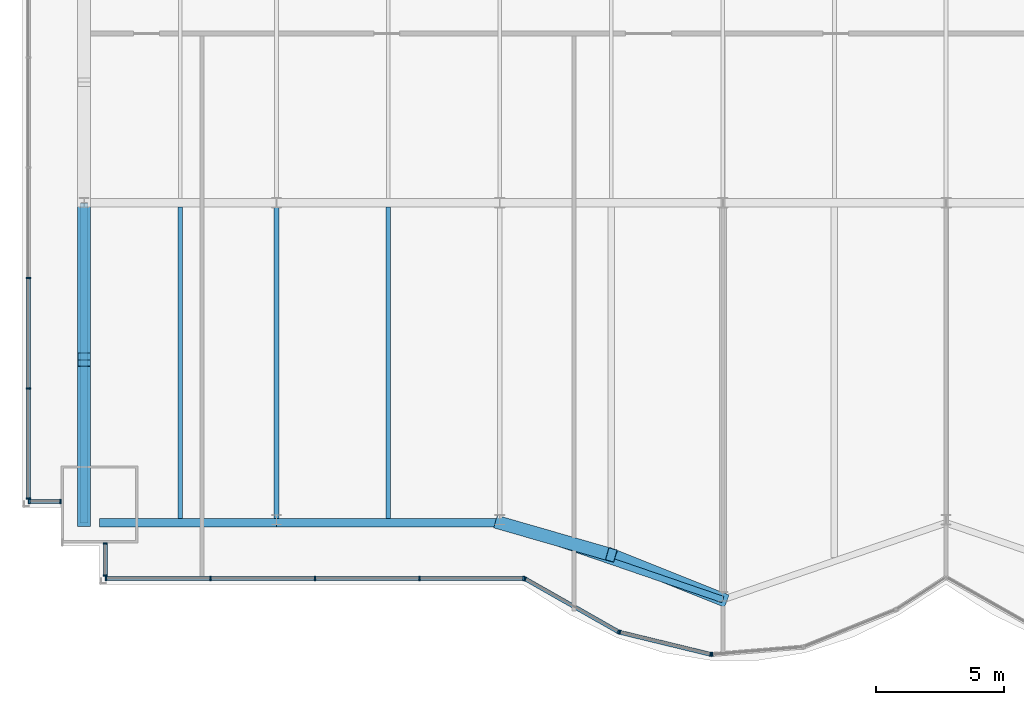
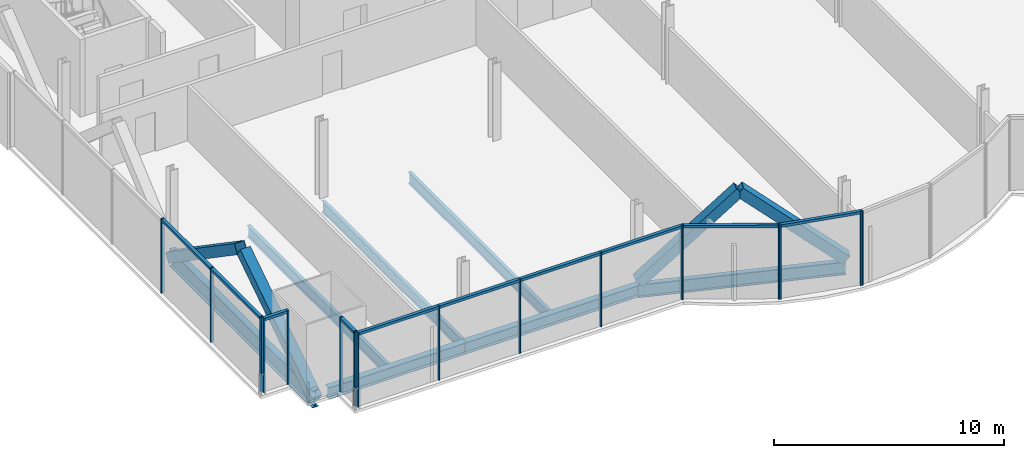
# One storey, part 4 of 21: 31 members, 7 beams, 5 elements without a shape of their own.
"""IFC4 building model written with IfcOpenShell, lengths in metres."""

from ifc_helpers import new_model, si_unit, direction, frame, origin, origin_2d, place, context, subcontext, project, spatial, rectangle, hollow_rectangle, i_section, extrude, material, material_profile, profile_set, type_object, element, aggregate, save


model = new_model("IFC4")

# Units and contexts
model_context = context("Model", 3, precision=1e-05, world=origin(), true_north=direction((0.0, 1.0)))
body_context = subcontext(model_context, "Body", "Model", "MODEL_VIEW")
ifc_project = project(units=[si_unit("LENGTHUNIT", "METRE"), si_unit("AREAUNIT", "SQUARE_METRE"), si_unit("VOLUMEUNIT", "CUBIC_METRE"), si_unit("PLANEANGLEUNIT", "RADIAN"), si_unit("MASSUNIT", "GRAM", prefix="KILO")], contexts=[model_context])

# Site, building, storey
site_placement = place(None, origin())
site = spatial("IfcSite", under=ifc_project, at=site_placement, CompositionType="ELEMENT")
building_placement = place(site_placement, origin())
building = spatial("IfcBuilding", under=site, at=building_placement, Name="Bicima Exchange Tower", CompositionType="ELEMENT")
storey_placement = place(building_placement, frame((0.0, 0.0, 126.800048828125)))
storey = spatial("IfcBuildingStorey", under=building, at=storey_placement, Name="L27", CompositionType="ELEMENT", Elevation=126.800048828125)

# Curtain wall, members
ifc_material_1 = material(Name="Anodised bronze aluminium", Category="aluminium")
curtain_wall_type_1 = type_object("IfcCurtainWallType", Name="End face glass wall", PredefinedType="NOTDEFINED", material=ifc_material_1)
curtain_wall_1_placement = place(storey_placement, origin())
curtain_wall_1 = element("IfcCurtainWall", 1, at=curtain_wall_1_placement, inside=storey, type_object=curtain_wall_type_1, Name="End face glass wall L27 run 2", PredefinedType="NOTDEFINED")
ifc_material_profile_1 = material_profile(ifc_material_1, rectangle(XDim=0.159912109375, YDim=0.06005859375, at=origin_2d()))
ifc_profile_set_1 = profile_set([ifc_material_profile_1], Name="Anodised bronze aluminium")
member_type_1 = type_object("IfcMemberType", Name="End face glass wall mullion 60 x 160", PredefinedType="MULLION", material=ifc_profile_set_1)
member_1_placement = place(storey_placement, frame((-35.77001953125, -24.93359375, 0.0), z_axis=(0.0, 0.0, 1.0), x_axis=(1.0, 0.0, 0.0)))
member_1 = element("IfcMember", 2, at=member_1_placement, type_object=member_type_1, Name="End face glass wall mullion 4", PredefinedType="MULLION", context=body_context, shape_type="SweptSolid", body=[
    extrude(rectangle(XDim=0.159912109375, YDim=0.06005859375, at=origin_2d()), origin(), (0.0, 0.0, 1.0), 3.949951171875),
])
member_2_placement = place(storey_placement, frame((-35.77001953125, -29.23486328125, 0.0), z_axis=(0.0, 0.0, 1.0), x_axis=(1.0, 0.0, 0.0)))
member_2 = element("IfcMember", 3, at=member_2_placement, type_object=member_type_1, Name="End face glass wall mullion 5", PredefinedType="MULLION", context=body_context, shape_type="SweptSolid", body=[
    extrude(rectangle(XDim=0.159912109375, YDim=0.06005859375, at=origin_2d()), origin(), (0.0, 0.0, 1.0), 3.949951171875),
])
member_3_placement = place(storey_placement, frame((-35.77001953125, -33.535888671875, 0.0), z_axis=(0.0, 0.0, 1.0), x_axis=(1.0, 0.0, 0.0)))
member_3 = element("IfcMember", 4, at=member_3_placement, type_object=member_type_1, Name="End face glass wall mullion 6", PredefinedType="MULLION", context=body_context, shape_type="SweptSolid", body=[
    extrude(rectangle(XDim=0.159912109375, YDim=0.06005859375, at=origin_2d()), origin(), (0.0, 0.0, 1.0), 3.949951171875),
])
ifc_material_profile_2 = material_profile(ifc_material_1, rectangle(XDim=0.159912109375, YDim=0.139892578125, at=origin_2d()))
ifc_profile_set_2 = profile_set([ifc_material_profile_2], Name="Anodised bronze aluminium")
member_type_2 = type_object("IfcMemberType", Name="End face glass wall transom 140 x 160", PredefinedType="USERDEFINED", material=ifc_profile_set_2)
member_4_placement = place(storey_placement, frame((-35.77001953125, -24.963623046875, 3.8798828125), z_axis=(0.0, -1.0, 0.0), x_axis=(1.0, 0.0, 0.0)))
member_4 = element("IfcMember", 5, at=member_4_placement, type_object=member_type_2, Name="End face glass wall transom 4.1", ObjectType="TRANSOM", PredefinedType="USERDEFINED", context=body_context, shape_type="SweptSolid", body=[
    extrude(rectangle(XDim=0.159912109375, YDim=0.139892578125, at=origin_2d()), origin(), (0.0, 0.0, 1.0), 4.2412109375),
])
member_5_placement = place(storey_placement, frame((-35.77001953125, -29.264892578125, 3.8798828125), z_axis=(0.0, -1.0, 0.0), x_axis=(1.0, 0.0, 0.0)))
member_5 = element("IfcMember", 6, at=member_5_placement, type_object=member_type_2, Name="End face glass wall transom 5.1", ObjectType="TRANSOM", PredefinedType="USERDEFINED", context=body_context, shape_type="SweptSolid", body=[
    extrude(rectangle(XDim=0.159912109375, YDim=0.139892578125, at=origin_2d()), origin(), (0.0, 0.0, 1.0), 4.2412109375),
])
aggregate(curtain_wall_1, [member_1, member_2, member_3, member_4, member_5])

# Beams
ifc_material_2 = material(Name="Steel ASTM A992 Gr 50", Category="steel")
ifc_material_profile_3 = material_profile(ifc_material_2, i_section(OverallWidth=0.3046875, OverallDepth=0.911865234375, WebThickness=0.015869140625, FlangeThickness=0.02392578125, at=origin_2d()))
ifc_profile_set_3 = profile_set([ifc_material_profile_3], Name="Steel ASTM A992 Gr 50")
beam_type_1 = type_object("IfcBeamType", Name="End girder W36x150", PredefinedType="BEAM", material=ifc_profile_set_3)
beam_1_placement = place(storey_placement, frame((-33.60009765625, -22.0, -0.60595703125), z_axis=(0.0, -1.0, 0.0), x_axis=(1.0, 0.0, 0.0)))
element("IfcBeam", 7, at=beam_1_placement, inside=storey, type_object=beam_type_1, Name="End girder", PredefinedType="BEAM", context=body_context, shape_type="SweptSolid", body=[
    extrude(i_section(OverallWidth=0.3046875, OverallDepth=0.911865234375, WebThickness=0.015869140625, FlangeThickness=0.02392578125, at=origin_2d()), origin(), (0.0, 0.0, 1.0), 12.47607421875),
])
ifc_material_profile_4 = material_profile(ifc_material_2, i_section(OverallWidth=0.177978515625, OverallDepth=0.599365234375, WebThickness=0.010009765625, FlangeThickness=0.012939453125, at=origin_2d()))
ifc_profile_set_4 = profile_set([ifc_material_profile_4], Name="Steel ASTM A992 Gr 50")
beam_type_2 = type_object("IfcBeamType", Name="Floor beam W24x55", PredefinedType="JOIST", material=ifc_profile_set_4)
for number, where, z_axis, x_axis, name in (
    (8, (-29.85009765625, -22.16259765625, -0.44970703125), (0.0, -1.0, 0.0), (1.0, 0.0, 0.0), "Floor beam"),
    (9, (-26.10009765625, -22.16259765625, -0.44970703125), (0.0, -1.0, 0.0), (1.0, 0.0, 0.0), "Floor beam"),
    (10, (-21.75, -22.16259765625, -0.44970703125), (0.0, -1.0, 0.0), (1.0, 0.0, 0.0), "Floor beam"),
):
    element("IfcBeam", number, at=place(storey_placement, frame(where, z_axis=z_axis, x_axis=x_axis)), inside=storey, type_object=beam_type_2, Name=name, PredefinedType="JOIST", context=body_context, shape_type="SweptSolid", body=[
        extrude(i_section(OverallWidth=0.177978515625, OverallDepth=0.599365234375, WebThickness=0.010009765625, FlangeThickness=0.012939453125, at=origin_2d()), origin(), (0.0, 0.0, 1.0), 12.15087890625),
    ])
ifc_material_profile_5 = material_profile(ifc_material_2, i_section(OverallWidth=0.3251953125, OverallDepth=0.612060546875, WebThickness=0.0126953125, FlangeThickness=0.01904296875, at=origin_2d()))
ifc_profile_set_5 = profile_set([ifc_material_profile_5], Name="Steel ASTM A992 Gr 50")
beam_type_3 = type_object("IfcBeamType", Name="Front girder W24x104", PredefinedType="BEAM", material=ifc_profile_set_5)
beam_2_placement = place(storey_placement, frame((-33.0, -34.47607421875, -0.4560546875), z_axis=(1.0, 0.0, 0.0), x_axis=(0.0, 1.0, 0.0)))
element("IfcBeam", 11, at=beam_2_placement, inside=storey, type_object=beam_type_3, Name="Front girder", PredefinedType="BEAM", context=body_context, shape_type="SweptSolid", body=[
    extrude(i_section(OverallWidth=0.3251953125, OverallDepth=0.612060546875, WebThickness=0.0126953125, FlangeThickness=0.01904296875, at=origin_2d()), origin(), (0.0, 0.0, 1.0), 6.89990234375),
])
beam_3_placement = place(storey_placement, frame((-26.10009765625, -34.47607421875, -0.4560546875), z_axis=(1.0, 0.0, 0.0), x_axis=(0.0, 1.0, 0.0)))
element("IfcBeam", 12, at=beam_3_placement, inside=storey, type_object=beam_type_3, Name="Front girder", PredefinedType="BEAM", context=body_context, shape_type="SweptSolid", body=[
    extrude(i_section(OverallWidth=0.3251953125, OverallDepth=0.612060546875, WebThickness=0.0126953125, FlangeThickness=0.01904296875, at=origin_2d()), origin(), (0.0, 0.0, 1.0), 8.7001953125),
])
ifc_material_profile_6 = material_profile(ifc_material_2, i_section(OverallWidth=0.256591796875, OverallDepth=0.693359375, WebThickness=0.014404296875, FlangeThickness=0.023681640625, at=origin_2d()))
ifc_profile_set_6 = profile_set([ifc_material_profile_6], Name="Steel ASTM A992 Gr 50")
beam_type_4 = type_object("IfcBeamType", Name="Front girder W27x114", PredefinedType="BEAM", material=ifc_profile_set_6)
beam_4_placement = place(storey_placement, frame((-17.39990234375, -34.47607421875, -0.496826171875), z_axis=(0.945674616091, -0.32511462668, 0.0), x_axis=(0.32511462668, 0.945674616091, 0.0)))
element("IfcBeam", 13, at=beam_4_placement, inside=storey, type_object=beam_type_4, Name="Front girder", PredefinedType="BEAM", context=body_context, shape_type="SweptSolid", body=[
    extrude(i_section(OverallWidth=0.256591796875, OverallDepth=0.693359375, WebThickness=0.014404296875, FlangeThickness=0.023681640625, at=origin_2d()), origin(), (0.0, 0.0, 1.0), 9.19970703125),
])

# Curtain wall, members
curtain_wall_type_2 = type_object("IfcCurtainWallType", Name="Front glass wall", PredefinedType="NOTDEFINED", material=ifc_material_1)
curtain_wall_2_placement = place(storey_placement, origin())
curtain_wall_2 = element("IfcCurtainWall", 14, at=curtain_wall_2_placement, inside=storey, type_object=curtain_wall_type_2, Name="Front glass wall L27 run 3", PredefinedType="NOTDEFINED")
member_type_3 = type_object("IfcMemberType", Name="Front glass wall mullion 60 x 160", PredefinedType="MULLION", material=ifc_profile_set_1)
member_6_placement = place(storey_placement, frame((-35.739990234375, -33.64599609375, 0.0), z_axis=(0.0, 0.0, 1.0), x_axis=(0.0, 1.0, 0.0)))
member_6 = element("IfcMember", 15, at=member_6_placement, type_object=member_type_3, Name="Front glass wall mullion 1", PredefinedType="MULLION", context=body_context, shape_type="SweptSolid", body=[
    extrude(rectangle(XDim=0.159912109375, YDim=0.06005859375, at=origin_2d()), origin(), (0.0, 0.0, 1.0), 3.949951171875),
])
member_7_placement = place(storey_placement, frame((-34.530029296875, -33.64599609375, 0.0), z_axis=(0.0, 0.0, 1.0), x_axis=(0.0, 1.0, 0.0)))
member_7 = element("IfcMember", 16, at=member_7_placement, type_object=member_type_3, Name="Front glass wall mullion 2", PredefinedType="MULLION", context=body_context, shape_type="SweptSolid", body=[
    extrude(rectangle(XDim=0.159912109375, YDim=0.06005859375, at=origin_2d()), origin(), (0.0, 0.0, 1.0), 3.949951171875),
])

curtain_wall_3_placement = place(storey_placement, origin())
curtain_wall_3 = element("IfcCurtainWall", 17, at=curtain_wall_3_placement, inside=storey, type_object=curtain_wall_type_2, Name="Front glass wall L27 run 4", PredefinedType="NOTDEFINED")
member_8_placement = place(storey_placement, frame((-32.77001953125, -35.283935546875, 0.0), z_axis=(0.0, 0.0, 1.0), x_axis=(1.0, 0.0, 0.0)))
member_8 = element("IfcMember", 18, at=member_8_placement, type_object=member_type_3, Name="Front glass wall mullion 1", PredefinedType="MULLION", context=body_context, shape_type="SweptSolid", body=[
    extrude(rectangle(XDim=0.159912109375, YDim=0.06005859375, at=origin_2d()), origin(), (0.0, 0.0, 1.0), 3.949951171875),
])
member_9_placement = place(storey_placement, frame((-32.77001953125, -36.535888671875, 0.0), z_axis=(0.0, 0.0, 1.0), x_axis=(1.0, 0.0, 0.0)))
member_9 = element("IfcMember", 19, at=member_9_placement, type_object=member_type_3, Name="Front glass wall mullion 2", PredefinedType="MULLION", context=body_context, shape_type="SweptSolid", body=[
    extrude(rectangle(XDim=0.159912109375, YDim=0.06005859375, at=origin_2d()), origin(), (0.0, 0.0, 1.0), 3.949951171875),
])

curtain_wall_4_placement = place(storey_placement, origin())
curtain_wall_4 = element("IfcCurtainWall", 20, at=curtain_wall_4_placement, inside=storey, type_object=curtain_wall_type_2, Name="Front glass wall L27 run 5", PredefinedType="NOTDEFINED")
member_10_placement = place(storey_placement, frame((-32.739990234375, -36.64599609375, 0.0), z_axis=(0.0, 0.0, 1.0), x_axis=(0.0, 1.0, 0.0)))
member_10 = element("IfcMember", 21, at=member_10_placement, type_object=member_type_3, Name="Front glass wall mullion 1", PredefinedType="MULLION", context=body_context, shape_type="SweptSolid", body=[
    extrude(rectangle(XDim=0.159912109375, YDim=0.06005859375, at=origin_2d()), origin(), (0.0, 0.0, 1.0), 3.949951171875),
])
member_11_placement = place(storey_placement, frame((-28.67041015625, -36.64599609375, 0.0), z_axis=(0.0, 0.0, 1.0), x_axis=(0.0, 1.0, 0.0)))
member_11 = element("IfcMember", 22, at=member_11_placement, type_object=member_type_3, Name="Front glass wall mullion 2", PredefinedType="MULLION", context=body_context, shape_type="SweptSolid", body=[
    extrude(rectangle(XDim=0.159912109375, YDim=0.06005859375, at=origin_2d()), origin(), (0.0, 0.0, 1.0), 3.949951171875),
])
member_12_placement = place(storey_placement, frame((-24.60107421875, -36.64599609375, 0.0), z_axis=(0.0, 0.0, 1.0), x_axis=(0.0, 1.0, 0.0)))
member_12 = element("IfcMember", 23, at=member_12_placement, type_object=member_type_3, Name="Front glass wall mullion 3", PredefinedType="MULLION", context=body_context, shape_type="SweptSolid", body=[
    extrude(rectangle(XDim=0.159912109375, YDim=0.06005859375, at=origin_2d()), origin(), (0.0, 0.0, 1.0), 3.949951171875),
])
member_13_placement = place(storey_placement, frame((-20.531494140625, -36.64599609375, 0.0), z_axis=(0.0, 0.0, 1.0), x_axis=(0.0, 1.0, 0.0)))
member_13 = element("IfcMember", 24, at=member_13_placement, type_object=member_type_3, Name="Front glass wall mullion 4", PredefinedType="MULLION", context=body_context, shape_type="SweptSolid", body=[
    extrude(rectangle(XDim=0.159912109375, YDim=0.06005859375, at=origin_2d()), origin(), (0.0, 0.0, 1.0), 3.949951171875),
])
member_14_placement = place(storey_placement, frame((-16.462158203125, -36.64599609375, 0.0), z_axis=(0.0, 0.0, 1.0), x_axis=(0.0, 1.0, 0.0)))
member_14 = element("IfcMember", 25, at=member_14_placement, type_object=member_type_3, Name="Front glass wall mullion 5", PredefinedType="MULLION", context=body_context, shape_type="SweptSolid", body=[
    extrude(rectangle(XDim=0.159912109375, YDim=0.06005859375, at=origin_2d()), origin(), (0.0, 0.0, 1.0), 3.949951171875),
])

curtain_wall_5_placement = place(storey_placement, origin())
curtain_wall_5 = element("IfcCurtainWall", 26, at=curtain_wall_5_placement, inside=storey, type_object=curtain_wall_type_2, Name="Front glass wall L27 run 6", PredefinedType="NOTDEFINED")
member_15_placement = place(storey_placement, frame((-16.406005859375, -36.660888671875, 0.0), z_axis=(0.0, 0.0, 1.0), x_axis=(0.493395449343, 0.869805110681, 0.0)))
member_15 = element("IfcMember", 27, at=member_15_placement, type_object=member_type_3, Name="Front glass wall mullion 1", PredefinedType="MULLION", context=body_context, shape_type="SweptSolid", body=[
    extrude(rectangle(XDim=0.159912109375, YDim=0.06005859375, at=origin_2d()), origin(), (0.0, 0.0, 1.0), 3.949951171875),
])
member_16_placement = place(storey_placement, frame((-12.7734375, -38.721435546875, 0.0), z_axis=(0.0, 0.0, 1.0), x_axis=(0.493395449343, 0.869805110681, 0.0)))
member_16 = element("IfcMember", 28, at=member_16_placement, type_object=member_type_3, Name="Front glass wall mullion 2", PredefinedType="MULLION", context=body_context, shape_type="SweptSolid", body=[
    extrude(rectangle(XDim=0.159912109375, YDim=0.06005859375, at=origin_2d()), origin(), (0.0, 0.0, 1.0), 3.949951171875),
])
member_17_placement = place(storey_placement, frame((-12.718017578125, -38.743408203125, 0.0), z_axis=(0.0, 0.0, 1.0), x_axis=(0.235681529503, 0.971830343553, 0.0)))
member_17 = element("IfcMember", 29, at=member_17_placement, type_object=member_type_3, Name="Front glass wall mullion 1", PredefinedType="MULLION", context=body_context, shape_type="SweptSolid", body=[
    extrude(rectangle(XDim=0.159912109375, YDim=0.06005859375, at=origin_2d()), origin(), (0.0, 0.0, 1.0), 3.949951171875),
])
member_18_placement = place(storey_placement, frame((-9.177490234375, -39.601806640625, 0.0), z_axis=(0.0, 0.0, 1.0), x_axis=(0.235681529503, 0.971830343553, 0.0)))
member_18 = element("IfcMember", 30, at=member_18_placement, type_object=member_type_3, Name="Front glass wall mullion 2", PredefinedType="MULLION", context=body_context, shape_type="SweptSolid", body=[
    extrude(rectangle(XDim=0.159912109375, YDim=0.06005859375, at=origin_2d()), origin(), (0.0, 0.0, 1.0), 3.949951171875),
])
member_19_placement = place(storey_placement, frame((-9.118408203125, -39.606689453125, 0.0), z_axis=(0.0, 0.0, 1.0), x_axis=(-0.080588612633, 0.99674744821, 0.0)))
member_19 = element("IfcMember", 31, at=member_19_placement, type_object=member_type_3, Name="Front glass wall mullion 1", PredefinedType="MULLION", context=body_context, shape_type="SweptSolid", body=[
    extrude(rectangle(XDim=0.159912109375, YDim=0.06005859375, at=origin_2d()), origin(), (0.0, 0.0, 1.0), 3.949951171875),
])

# Member
member_type_4 = type_object("IfcMemberType", Name="Front glass wall transom 140 x 160", PredefinedType="USERDEFINED", material=ifc_profile_set_2)
member_20_placement = place(storey_placement, frame((-35.7099609375, -33.64599609375, 3.8798828125), z_axis=(1.0, 0.0, 0.0), x_axis=(0.0, 1.0, 0.0)))
member_20 = element("IfcMember", 32, at=member_20_placement, type_object=member_type_4, Name="Front glass wall transom 1.1", ObjectType="TRANSOM", PredefinedType="USERDEFINED", context=body_context, shape_type="SweptSolid", body=[
    extrude(rectangle(XDim=0.159912109375, YDim=0.139892578125, at=origin_2d()), origin(), (0.0, 0.0, 1.0), 1.14990234375),
])

aggregate(curtain_wall_2, [member_6, member_7, member_20])

member_21_placement = place(storey_placement, frame((-32.77001953125, -35.31396484375, 3.8798828125), z_axis=(0.0, -1.0, 0.0), x_axis=(1.0, 0.0, 0.0)))
member_21 = element("IfcMember", 33, at=member_21_placement, type_object=member_type_4, Name="Front glass wall transom 1.1", ObjectType="TRANSOM", PredefinedType="USERDEFINED", context=body_context, shape_type="SweptSolid", body=[
    extrude(rectangle(XDim=0.159912109375, YDim=0.139892578125, at=origin_2d()), origin(), (0.0, 0.0, 1.0), 1.192138671875),
])

aggregate(curtain_wall_3, [member_8, member_9, member_21])

member_22_placement = place(storey_placement, frame((-32.7099609375, -36.64599609375, 3.8798828125), z_axis=(1.0, 0.0, 0.0), x_axis=(0.0, 1.0, 0.0)))
member_22 = element("IfcMember", 34, at=member_22_placement, type_object=member_type_4, Name="Front glass wall transom 1.1", ObjectType="TRANSOM", PredefinedType="USERDEFINED", context=body_context, shape_type="SweptSolid", body=[
    extrude(rectangle(XDim=0.159912109375, YDim=0.139892578125, at=origin_2d()), origin(), (0.0, 0.0, 1.0), 4.009521484375),
])

member_23_placement = place(storey_placement, frame((-28.640380859375, -36.64599609375, 3.8798828125), z_axis=(1.0, 0.0, 0.0), x_axis=(0.0, 1.0, 0.0)))
member_23 = element("IfcMember", 35, at=member_23_placement, type_object=member_type_4, Name="Front glass wall transom 2.1", ObjectType="TRANSOM", PredefinedType="USERDEFINED", context=body_context, shape_type="SweptSolid", body=[
    extrude(rectangle(XDim=0.159912109375, YDim=0.139892578125, at=origin_2d()), origin(), (0.0, 0.0, 1.0), 4.00927734375),
])

member_24_placement = place(storey_placement, frame((-24.571044921875, -36.64599609375, 3.8798828125), z_axis=(1.0, 0.0, 0.0), x_axis=(0.0, 1.0, 0.0)))
member_24 = element("IfcMember", 36, at=member_24_placement, type_object=member_type_4, Name="Front glass wall transom 3.1", ObjectType="TRANSOM", PredefinedType="USERDEFINED", context=body_context, shape_type="SweptSolid", body=[
    extrude(rectangle(XDim=0.159912109375, YDim=0.139892578125, at=origin_2d()), origin(), (0.0, 0.0, 1.0), 4.009521484375),
])

member_25_placement = place(storey_placement, frame((-20.501708984375, -36.64599609375, 3.8798828125), z_axis=(1.0, 0.0, 0.0), x_axis=(0.0, 1.0, 0.0)))
member_25 = element("IfcMember", 37, at=member_25_placement, type_object=member_type_4, Name="Front glass wall transom 4.1", ObjectType="TRANSOM", PredefinedType="USERDEFINED", context=body_context, shape_type="SweptSolid", body=[
    extrude(rectangle(XDim=0.159912109375, YDim=0.139892578125, at=origin_2d()), origin(), (0.0, 0.0, 1.0), 4.009521484375),
])

aggregate(curtain_wall_4, [member_10, member_11, member_12, member_13, member_14, member_22, member_23, member_24, member_25])

member_26_placement = place(storey_placement, frame((-16.3798828125, -36.675537109375, 3.8798828125), z_axis=(0.869797371721, -0.49340909208, 0.0), x_axis=(0.49340909208, 0.869797371721, 0.0)))
member_26 = element("IfcMember", 38, at=member_26_placement, type_object=member_type_4, Name="Front glass wall transom 1.1", ObjectType="TRANSOM", PredefinedType="USERDEFINED", context=body_context, shape_type="SweptSolid", body=[
    extrude(rectangle(XDim=0.159912109375, YDim=0.139892578125, at=origin_2d()), origin(), (0.0, 0.0, 1.0), 4.1162109375),
])

member_27_placement = place(storey_placement, frame((-12.68896484375, -38.750244140625, 3.8798828125), z_axis=(0.971817951661, -0.235732621477, 0.0), x_axis=(0.235732621477, 0.971817951661, 0.0)))
member_27 = element("IfcMember", 39, at=member_27_placement, type_object=member_type_4, Name="Front glass wall transom 1.1", ObjectType="TRANSOM", PredefinedType="USERDEFINED", context=body_context, shape_type="SweptSolid", body=[
    extrude(rectangle(XDim=0.159912109375, YDim=0.139892578125, at=origin_2d()), origin(), (0.0, 0.0, 1.0), 3.58349609375),
])

aggregate(curtain_wall_5, [member_15, member_16, member_26, member_17, member_18, member_27, member_19])

# Members
ifc_material_3 = material(Name="Steel ASTM A572 Gr 50", Category="steel")
ifc_material_profile_7 = material_profile(ifc_material_3, hollow_rectangle(XDim=0.508056640625, YDim=0.508056640625, WallThickness=0.0146484375, at=origin_2d()))
ifc_profile_set_7 = profile_set([ifc_material_profile_7], Name="Steel ASTM A572 Gr 50")
member_type_5 = type_object("IfcMemberType", Name="Mega brace HSS20x20x5/8", PredefinedType="BRACE", material=ifc_profile_set_7)
member_28_placement = place(storey_placement, frame((-17.39990234375, -34.47607421875, 0.0), z_axis=(0.71226631392, -0.204920981375, 0.671330089783), x_axis=(0.27648739579, 0.961017544049, 0.0)))
element("IfcMember", 40, at=member_28_placement, inside=storey, type_object=member_type_5, Name="Mega brace front", PredefinedType="BRACE", context=body_context, shape_type="SweptSolid", body=[
    extrude(hollow_rectangle(XDim=0.508056640625, YDim=0.508056640625, WallThickness=0.0146484375, at=origin_2d()), origin(), (0.0, 0.0, 1.0), 6.107177734375),
])
member_29_placement = place(storey_placement, frame((-8.699951171875, -37.467041015625, 0.0), z_axis=(-0.698744239452, 0.279411421377, 0.658548210412), x_axis=(-0.371291842786, -0.928516218211, 0.0)))
element("IfcMember", 41, at=member_29_placement, inside=storey, type_object=member_type_5, Name="Mega brace front", PredefinedType="BRACE", context=body_context, shape_type="SweptSolid", body=[
    extrude(hollow_rectangle(XDim=0.508056640625, YDim=0.508056640625, WallThickness=0.0146484375, at=origin_2d()), origin(), (0.0, 0.0, 1.0), 6.2255859375),
])
member_30_placement = place(storey_placement, frame((-33.60009765625, -22.0, -0.60595703125), z_axis=(0.0, -0.825370750823, 0.564591111943), x_axis=(1.0, 0.0, 0.0)))
element("IfcMember", 42, at=member_30_placement, inside=storey, type_object=member_type_5, Name="Mega brace west end", PredefinedType="BRACE", context=body_context, shape_type="SweptSolid", body=[
    extrude(hollow_rectangle(XDim=0.508056640625, YDim=0.508056640625, WallThickness=0.0146484375, at=origin_2d()), origin(), (0.0, 0.0, 1.0), 7.261962890625),
])
member_31_placement = place(storey_placement, frame((-33.60009765625, -34.47607421875, -0.60595703125), z_axis=(0.0, 0.835655299365, 0.549254240442), x_axis=(-1.0, 0.0, 0.0)))
element("IfcMember", 43, at=member_31_placement, inside=storey, type_object=member_type_5, Name="Mega brace west end", PredefinedType="BRACE", context=body_context, shape_type="SweptSolid", body=[
    extrude(hollow_rectangle(XDim=0.508056640625, YDim=0.508056640625, WallThickness=0.0146484375, at=origin_2d()), origin(), (0.0, 0.0, 1.0), 7.46484375),
])

save(model, "model.ifc")
